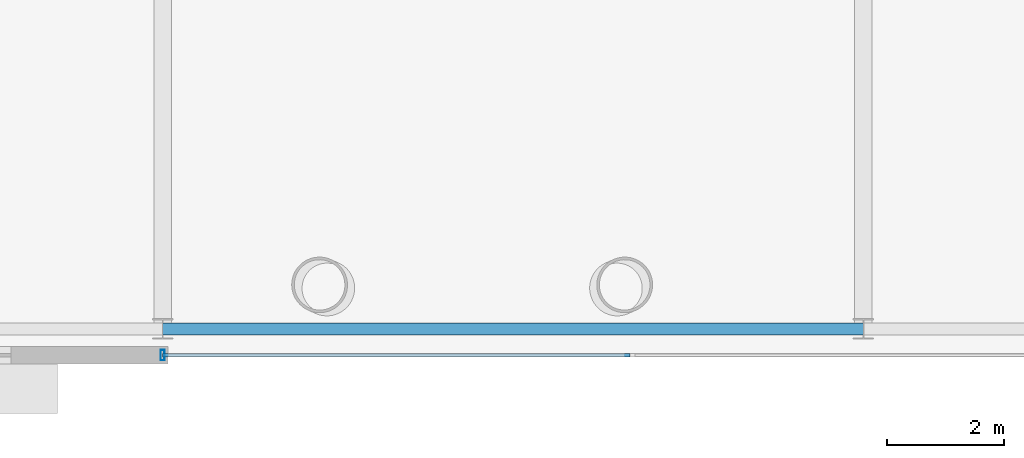
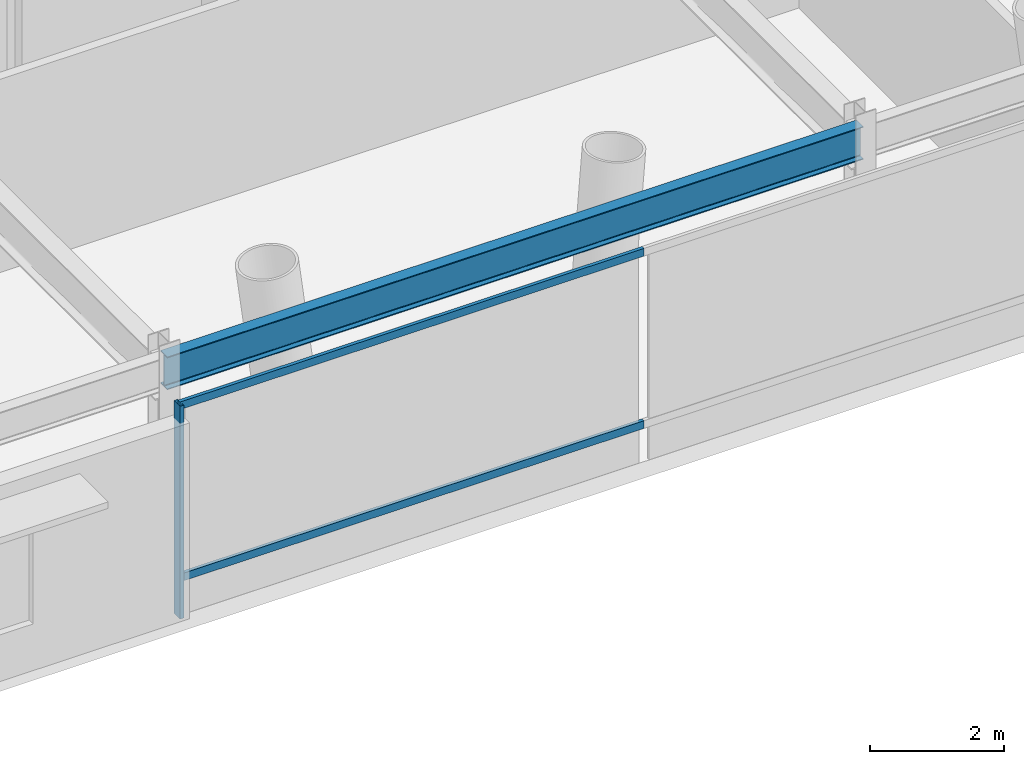
# One storey, part 6 of 22: 3 members, 1 beam, 1 element without a shape of its own.
"""IFC4 building model written with IfcOpenShell, lengths in metres."""

from ifc_helpers import new_model, si_unit, direction, frame, origin, origin_2d, place, context, subcontext, project, spatial, hollow_rectangle, i_section, extrude, material, layer, layer_set, material_profile, profile_set, type_object, element, aggregate, save


model = new_model("IFC4")

# Units and contexts
model_context = context("Model", 3, precision=1e-05, world=origin(), true_north=direction((0.0, 1.0)))
body_context = subcontext(model_context, "Body", "Model", "MODEL_VIEW")
ifc_project = project(units=[si_unit("LENGTHUNIT", "METRE"), si_unit("AREAUNIT", "SQUARE_METRE"), si_unit("VOLUMEUNIT", "CUBIC_METRE"), si_unit("PLANEANGLEUNIT", "RADIAN"), si_unit("MASSUNIT", "GRAM", prefix="KILO")], contexts=[model_context])

# Site, building, storey
site_placement = place(None, origin())
site = spatial("IfcSite", under=ifc_project, at=site_placement, CompositionType="ELEMENT")
building_placement = place(site_placement, origin())
building = spatial("IfcBuilding", under=site, at=building_placement, Name="Veldorina Hangang Commons", CompositionType="ELEMENT")
storey_placement = place(building_placement, frame((0.0, 0.0, 14.800048828125)))
storey = spatial("IfcBuildingStorey", under=building, at=storey_placement, Name="L03", CompositionType="ELEMENT", Elevation=14.800048828125)

# Beam
ifc_material_1 = material(Name="Steel SM420-TMC", Category="steel")
ifc_material_profile_1 = material_profile(ifc_material_1, i_section(OverallWidth=0.199951171875, OverallDepth=0.60009765625, WebThickness=0.010986328125, FlangeThickness=0.01708984375, FilletRadius=0.01806640625, at=origin_2d()), Name="H-600x200x11x17")
ifc_profile_set_1 = profile_set([ifc_material_profile_1], Name="Steel SM420-TMC")
beam_type = type_object("IfcBeamType", Name="BM-SPN600", PredefinedType="SPANDREL", material=ifc_profile_set_1)
beam_placement = place(storey_placement, frame((20.0, 3.449951171875, 4.199951171875), z_axis=(1.0, 0.0, 0.0), x_axis=(0.0, 1.0, 0.0)))
element("IfcBeam", 1, at=beam_placement, inside=storey, type_object=beam_type, Name="L03 south spandrel beam 2", PredefinedType="SPANDREL", context=body_context, shape_type="SweptSolid", body=[
    extrude(i_section(OverallWidth=0.199951171875, OverallDepth=0.60009765625, WebThickness=0.010986328125, FlangeThickness=0.01708984375, FilletRadius=0.01806640625, at=origin_2d()), origin(), (0.0, 0.0, 1.0), 12.0),
])

# Curtain wall, members
ifc_material_2 = material(Name="Glass Low-E Triple IGU", Category="glass")
ifc_layer = layer(ifc_material_2, 0.179931640625)
ifc_layer_set = layer_set([ifc_layer], Name="Glass Low-E Triple IGU")
curtain_wall_type = type_object("IfcCurtainWallType", Name="CW-SYS-POD", PredefinedType="NOTDEFINED", material=ifc_layer_set)
curtain_wall_placement = place(storey_placement, origin())
curtain_wall = element("IfcCurtainWall", 2, at=curtain_wall_placement, inside=storey, type_object=curtain_wall_type, Name="L03 unitised curtain wall CW-L03-S-CTR", PredefinedType="NOTDEFINED")
ifc_material_3 = material(Name="Aluminium Anodized AA6063-T6", Category="aluminium")
ifc_material_profile_2 = material_profile(ifc_material_3, hollow_rectangle(XDim=0.070068359375, YDim=0.179931640625, WallThickness=0.00390625, at=origin_2d()), Name="ALU-RHS-180x70x4")
ifc_profile_set_2 = profile_set([ifc_material_profile_2], Name="Aluminium Anodized AA6063-T6")
member_type_1 = type_object("IfcMemberType", Name="CW-MUL-180", PredefinedType="MULLION", material=ifc_profile_set_2)
member_1_placement = place(storey_placement, frame((20.0, 3.0, 0.0), z_axis=(0.0, 0.0, 1.0), x_axis=(1.0, 0.0, 0.0)))
member_1 = element("IfcMember", 3, at=member_1_placement, type_object=member_type_1, Name="CW-L03-S-CTR vertical mullion 1", PredefinedType="MULLION", context=body_context, shape_type="SweptSolid", body=[
    extrude(hollow_rectangle(XDim=0.070068359375, YDim=0.179931640625, WallThickness=0.00390625, at=origin_2d()), origin(), (0.0, 0.0, 1.0), 3.8798828125),
])
ifc_material_profile_3 = material_profile(ifc_material_3, hollow_rectangle(XDim=0.06005859375, YDim=0.139892578125, WallThickness=0.00341796875, at=origin_2d()), Name="ALU-RHS-140x60x3.5")
ifc_profile_set_3 = profile_set([ifc_material_profile_3], Name="Aluminium Anodized AA6063-T6")
member_type_2 = type_object("IfcMemberType", Name="CW-TRN-140", PredefinedType="USERDEFINED", material=ifc_profile_set_3)
member_2_placement = place(storey_placement, frame((20.0, 3.0, 0.699951171875), z_axis=(1.0, 0.0, 0.0), x_axis=(0.0, 1.0, 0.0)))
member_2 = element("IfcMember", 4, at=member_2_placement, type_object=member_type_2, Name="CW-L03-S-CTR facet 1 transom 1", ObjectType="TRANSOM", PredefinedType="USERDEFINED", context=body_context, shape_type="SweptSolid", body=[
    extrude(hollow_rectangle(XDim=0.06005859375, YDim=0.139892578125, WallThickness=0.00341796875, at=origin_2d()), origin(), (0.0, 0.0, 1.0), 8.0),
])
member_3_placement = place(storey_placement, frame((20.0, 3.0, 3.83984375), z_axis=(1.0, 0.0, 0.0), x_axis=(0.0, 1.0, 0.0)))
member_3 = element("IfcMember", 5, at=member_3_placement, type_object=member_type_2, Name="CW-L03-S-CTR facet 1 transom 2", ObjectType="TRANSOM", PredefinedType="USERDEFINED", context=body_context, shape_type="SweptSolid", body=[
    extrude(hollow_rectangle(XDim=0.06005859375, YDim=0.139892578125, WallThickness=0.00341796875, at=origin_2d()), origin(), (0.0, 0.0, 1.0), 8.0),
])
aggregate(curtain_wall, [member_1, member_2, member_3])

save(model, "model.ifc")
